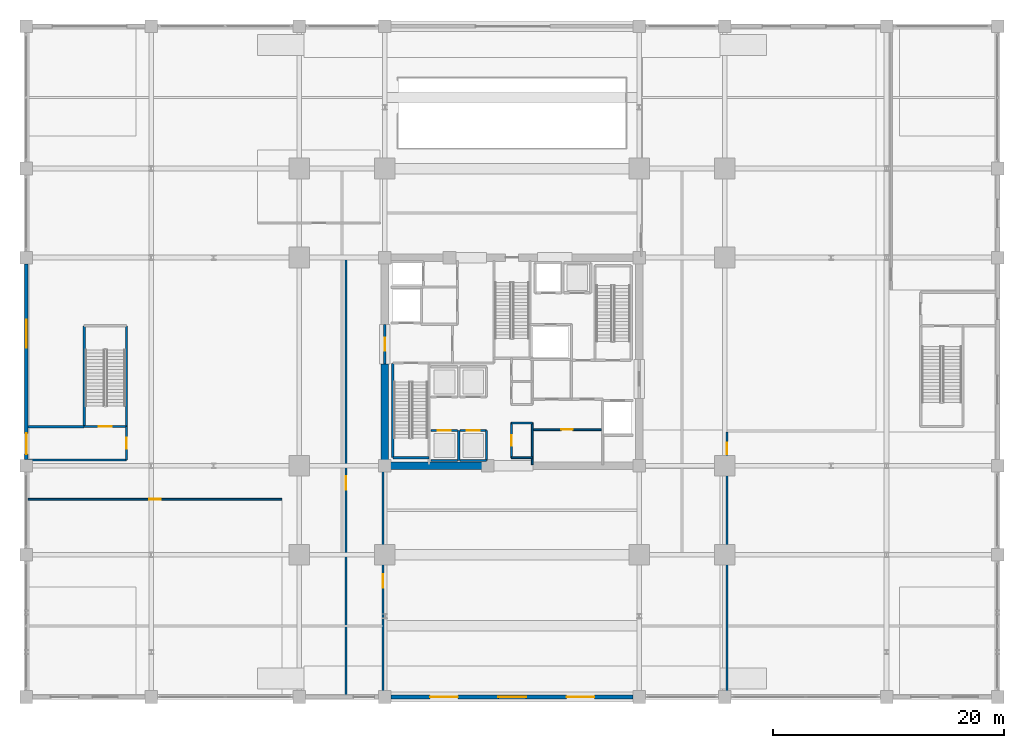
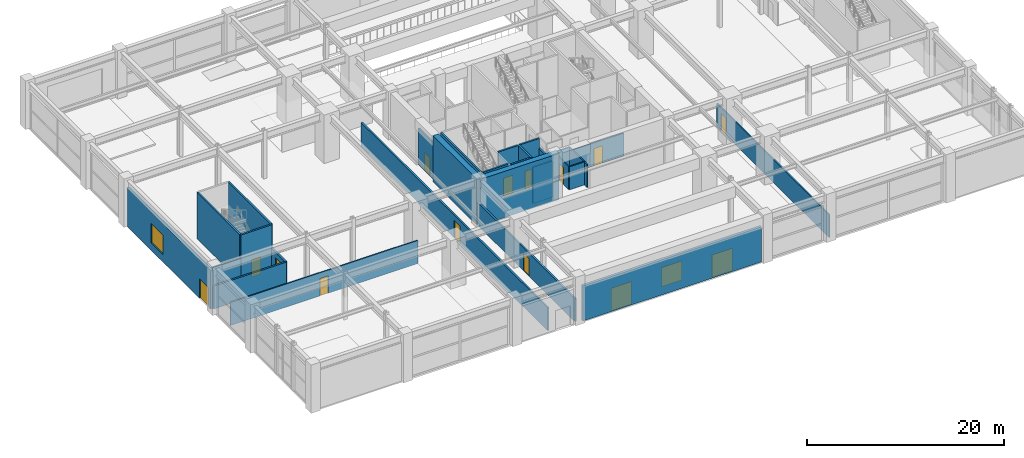
# One storey, part 30 of 41: 28 walls, 14 doors, 2 windows, 16 openings.
"""IFC4 building model written with IfcOpenShell, lengths in metres."""

from ifc_helpers import new_model, si_unit, direction, frame, frame_2d, origin, place, context, subcontext, project, spatial, rectangle, extrude, material, layer, layer_set, type_object, element, fill, save


model = new_model("IFC4")

# Units and contexts
model_context = context("Model", 3, precision=1e-05, world=origin(), true_north=direction((0.0, 1.0)))
body_context = subcontext(model_context, "Body", "Model", "MODEL_VIEW")
ifc_project = project(units=[si_unit("LENGTHUNIT", "METRE"), si_unit("AREAUNIT", "SQUARE_METRE"), si_unit("VOLUMEUNIT", "CUBIC_METRE"), si_unit("PLANEANGLEUNIT", "RADIAN"), si_unit("MASSUNIT", "GRAM", prefix="KILO")], contexts=[model_context])

# Site, building, storey
site_placement = place(None, origin())
site = spatial("IfcSite", under=ifc_project, at=site_placement, CompositionType="ELEMENT")
building_placement = place(site_placement, origin())
building = spatial("IfcBuilding", under=site, at=building_placement, Name="Kovane Verandah Tower", CompositionType="ELEMENT")
storey_placement = place(building_placement, origin())
storey = spatial("IfcBuildingStorey", under=building, at=storey_placement, Name="L00", CompositionType="ELEMENT", Elevation=0.0)

# Walls
ifc_material_1 = material(Name="Fire-Rated Gypsum Stud Partition", Category="gypsum")
ifc_layer_1 = layer(ifc_material_1, 0.14990234375)
ifc_layer_set_1 = layer_set([ifc_layer_1], Name="Fire-Rated Gypsum Stud Partition")
wall_type_1 = type_object("IfcWallType", Name="WL-COR-150", PredefinedType="PARTITIONING", material=ifc_layer_set_1)
for number, where, z_axis, x_axis, name in (
    (1, (39.949951171875, 19.199951171875, 0.0), (0.0, 0.0, 1.0), (1.0, 0.0, 0.0), "L00 Central Core Strip South Wall"),
    (2, (39.949951171875, 22.199951171875, 0.0), (0.0, 0.0, 1.0), (1.0, 0.0, 0.0), "L00 Core Cross-Passage South Wall"),
):
    element("IfcWall", number, at=place(storey_placement, frame(where, z_axis=z_axis, x_axis=x_axis)), inside=storey, type_object=wall_type_1, Name=name, PredefinedType="PARTITIONING", context=body_context, shape_type="SweptSolid", body=[
        extrude(rectangle(XDim=1.81005859375, YDim=0.14990234375, at=frame_2d((0.905029296875, 0.0))), origin(), (0.0, 0.0, 1.0), 2.85009765625),
    ])
wall_1_placement = place(storey_placement, frame((41.760009765625, 18.60009765625, 0.0), z_axis=(0.0, 0.0, 1.0), x_axis=(0.0, 1.0, 0.0)))
element("IfcWall", 3, at=wall_1_placement, inside=storey, type_object=wall_type_1, Name="L00 Central Core Strip Lower East Wall", PredefinedType="PARTITIONING", context=body_context, shape_type="SweptSolid", body=[
    extrude(rectangle(XDim=3.599853515625, YDim=0.14990234375, at=frame_2d((1.7998046875, 0.0))), origin(), (0.0, 0.0, 1.0), 2.85009765625),
])

# Wall, opening, door
wall_2_placement = place(storey_placement, frame((39.949951171875, 19.199951171875, 0.0), z_axis=(0.0, 0.0, 1.0), x_axis=(0.0, 1.0, 0.0)))
wall_2 = element("IfcWall", 4, at=wall_2_placement, inside=storey, type_object=wall_type_1, Name="L00 Male Toilet Partition", PredefinedType="PARTITIONING", context=body_context, shape_type="SweptSolid", body=[
    extrude(rectangle(XDim=3.0, YDim=0.14990234375, at=frame_2d((1.5, 0.0))), origin(), (0.0, 0.0, 1.0), 2.85009765625),
])
opening_1_placement = place(wall_2_placement, frame((1.050048828125, 0.0, 0.0)))
opening_1 = element("IfcOpeningElement", 5, at=opening_1_placement, cuts=wall_2, Name="Opening DR-L00-037", PredefinedType="OPENING", context=body_context, shape_type="SweptSolid", body=[
    extrude(rectangle(XDim=0.89990234375, YDim=2.10009765625, at=frame_2d((0.449951171875, 1.050048828125))), frame((0.0, 0.074951171875, 0.0), z_axis=(0.0, -1.0, 0.0), x_axis=(1.0, 0.0, 0.0)), (0.0, 0.0, 1.0), 0.14990234375),
])
ifc_material_2 = material(Name="Moisture-Resistant Laminate Washroom Door", Category="wood")
door_type_1 = type_object("IfcDoorType", Name="DR-WC-900", OperationType="SINGLE_SWING_LEFT", PredefinedType="DOOR", material=ifc_material_2)
door_1_placement = place(opening_1_placement, origin())
door_1 = element("IfcDoor", 6, at=door_1_placement, inside=storey, type_object=door_type_1, Name="L00 Male Toilet Door", OperationType="SINGLE_SWING_RIGHT", OverallHeight=2.10009765625, OverallWidth=0.89990234375, PredefinedType="DOOR", context=body_context, shape_type="SweptSolid", body=[
    extrude(rectangle(XDim=0.89990234375, YDim=2.10009765625, at=frame_2d((0.449951171875, 1.050048828125))), frame((0.0, 0.02490234375, 0.0), z_axis=(0.0, -1.0, 0.0), x_axis=(1.0, 0.0, 0.0)), (0.0, 0.0, 1.0), 0.050048828125),
])
fill(opening_1, door_1)

wall_3_placement = place(storey_placement, frame((41.760009765625, 21.6201171875, 0.0), z_axis=(0.0, 0.0, 1.0), x_axis=(1.0, 0.0, 0.0)))
wall_3 = element("IfcWall", 7, at=wall_3_placement, inside=storey, type_object=wall_type_1, Name="L00 Records Vault Room Partition", PredefinedType="PARTITIONING", context=body_context, shape_type="SweptSolid", body=[
    extrude(rectangle(XDim=5.97998046875, YDim=0.14990234375, at=frame_2d((2.989990234375, 0.0))), origin(), (0.0, 0.0, 1.0), 2.85009765625),
])
opening_2_placement = place(wall_3_placement, frame((2.489990234375, 0.0, 0.0)))
opening_2 = element("IfcOpeningElement", 8, at=opening_2_placement, cuts=wall_3, Name="Opening DR-L00-029", PredefinedType="OPENING", context=body_context, shape_type="SweptSolid", body=[
    extrude(rectangle(XDim=1.0, YDim=2.14990234375, at=frame_2d((0.5, 1.074951171875))), frame((0.0, 0.074951171875, 0.0), z_axis=(0.0, -1.0, 0.0), x_axis=(1.0, 0.0, 0.0)), (0.0, 0.0, 1.0), 0.14990234375),
])
ifc_material_3 = material(Name="FSC Spotted-Gum Timber Fire-Rated Office Door", Category="wood")
door_type_2 = type_object("IfcDoorType", Name="DR-OFF-1000", OperationType="SINGLE_SWING_LEFT", PredefinedType="DOOR", material=ifc_material_3)
door_2_placement = place(opening_2_placement, origin())
door_2 = element("IfcDoor", 9, at=door_2_placement, inside=storey, type_object=door_type_2, Name="L00 Records Vault Room Door", OperationType="SINGLE_SWING_LEFT", OverallHeight=2.14990234375, OverallWidth=1.0, PredefinedType="DOOR", context=body_context, shape_type="SweptSolid", body=[
    extrude(rectangle(XDim=1.0, YDim=2.14990234375, at=frame_2d((0.5, 1.074951171875))), frame((0.0, 0.02490234375, 0.0), z_axis=(0.0, -1.0, 0.0), x_axis=(1.0, 0.0, 0.0)), (0.0, 0.0, 1.0), 0.050048828125),
])
fill(opening_2, door_2)

wall_4_placement = place(storey_placement, frame((-1.85009765625, 15.60009765625, 0.0), z_axis=(0.0, 0.0, 1.0), x_axis=(1.0, 0.0, 0.0)))
wall_4 = element("IfcWall", 10, at=wall_4_placement, inside=storey, type_object=wall_type_1, Name="L00 West Promenade Retail Pavilion Corridor Partition", PredefinedType="PARTITIONING", context=body_context, shape_type="SweptSolid", body=[
    extrude(rectangle(XDim=21.9501953125, YDim=0.14990234375, at=frame_2d((10.97509765625, 0.0))), origin(), (0.0, 0.0, 1.0), 2.85009765625),
])
opening_3_placement = place(wall_4_placement, frame((10.47509765625, 0.0, 0.0)))
opening_3 = element("IfcOpeningElement", 11, at=opening_3_placement, cuts=wall_4, Name="Opening DR-L00-033", PredefinedType="OPENING", context=body_context, shape_type="SweptSolid", body=[
    extrude(rectangle(XDim=1.0, YDim=2.14990234375, at=frame_2d((0.5, 1.074951171875))), frame((0.0, 0.074951171875, 0.0), z_axis=(0.0, -1.0, 0.0), x_axis=(1.0, 0.0, 0.0)), (0.0, 0.0, 1.0), 0.14990234375),
])
door_3_placement = place(opening_3_placement, origin())
door_3 = element("IfcDoor", 12, at=door_3_placement, inside=storey, type_object=door_type_2, Name="L00 West Promenade Retail Pavilion Entrance Door", OperationType="SINGLE_SWING_LEFT", OverallHeight=2.14990234375, OverallWidth=1.0, PredefinedType="DOOR", context=body_context, shape_type="SweptSolid", body=[
    extrude(rectangle(XDim=1.0, YDim=2.14990234375, at=frame_2d((0.5, 1.074951171875))), frame((0.0, 0.02490234375, 0.0), z_axis=(0.0, -1.0, 0.0), x_axis=(1.0, 0.0, 0.0)), (0.0, 0.0, 1.0), 0.050048828125),
])
fill(opening_3, door_3)

wall_5_placement = place(storey_placement, frame((58.60009765625, -1.35009765625, 0.0), z_axis=(0.0, 0.0, 1.0), x_axis=(0.0, 1.0, 0.0)))
wall_5 = element("IfcWall", 13, at=wall_5_placement, inside=storey, type_object=wall_type_1, Name="L00 East Garden Harbour Cafe Corridor Partition", PredefinedType="PARTITIONING", context=body_context, shape_type="SweptSolid", body=[
    extrude(rectangle(XDim=22.75, YDim=0.14990234375, at=frame_2d((11.375, 0.0))), origin(), (0.0, 0.0, 1.0), 2.85009765625),
])
opening_4_placement = place(wall_5_placement, frame((20.85009765625, 0.0, 0.0)))
opening_4 = element("IfcOpeningElement", 14, at=opening_4_placement, cuts=wall_5, Name="Opening DR-L00-027", PredefinedType="OPENING", context=body_context, shape_type="SweptSolid", body=[
    extrude(rectangle(XDim=1.0, YDim=2.14990234375, at=frame_2d((0.5, 1.074951171875))), frame((0.0, 0.074951171875, 0.0), z_axis=(0.0, -1.0, 0.0), x_axis=(1.0, 0.0, 0.0)), (0.0, 0.0, 1.0), 0.14990234375),
])
door_4_placement = place(opening_4_placement, origin())
door_4 = element("IfcDoor", 15, at=door_4_placement, inside=storey, type_object=door_type_2, Name="L00 East Garden Harbour Cafe Entrance Door", OperationType="SINGLE_SWING_RIGHT", OverallHeight=2.14990234375, OverallWidth=1.0, PredefinedType="DOOR", context=body_context, shape_type="SweptSolid", body=[
    extrude(rectangle(XDim=1.0, YDim=2.14990234375, at=frame_2d((0.5, 1.074951171875))), frame((0.0, 0.02490234375, 0.0), z_axis=(0.0, -1.0, 0.0), x_axis=(1.0, 0.0, 0.0)), (0.0, 0.0, 1.0), 0.050048828125),
])
fill(opening_4, door_4)

# Walls
ifc_material_4 = material(Name="Concrete C80/95", Category="concrete")
ifc_layer_2 = layer(ifc_material_4, 0.64990234375)
ifc_layer_set_2 = layer_set([ifc_layer_2], Name="Concrete C80/95")
wall_type_2 = type_object("IfcWallType", Name="WL-CORE-650", PredefinedType="SHEAR", material=ifc_layer_set_2)
wall_6_placement = place(storey_placement, frame((29.0, 18.5, 0.0), z_axis=(0.0, 0.0, 1.0), x_axis=(1.0, 0.0, 0.0)))
element("IfcWall", 16, at=wall_6_placement, inside=storey, type_object=wall_type_2, Name="L00 Core Shear Wall CS-1", PredefinedType="SHEAR", context=body_context, shape_type="SweptSolid", body=[
    extrude(rectangle(XDim=9.199951171875, YDim=0.64990234375, at=frame_2d((4.60009765625, 0.0))), origin(), (0.0, 0.0, 1.0), 5.719970703125),
])
wall_7_placement = place(storey_placement, frame((29.0, 18.5, 0.0), z_axis=(0.0, 0.0, 1.0), x_axis=(0.0, 1.0, 0.0)))
element("IfcWall", 17, at=wall_7_placement, inside=storey, type_object=wall_type_2, Name="L00 Core Shear Wall CW-1", PredefinedType="SHEAR", context=body_context, shape_type="SweptSolid", body=[
    extrude(rectangle(XDim=8.800048828125, YDim=0.64990234375, at=frame_2d((4.39990234375, 0.0))), origin(), (0.0, 0.0, 1.0), 5.719970703125),
])

# Wall, opening, door
ifc_material_5 = material(Name="Concrete C45/55 Fire Wall", Category="concrete")
ifc_layer_3 = layer(ifc_material_5, 0.199951171875)
ifc_layer_set_3 = layer_set([ifc_layer_3], Name="Concrete C45/55 Fire Wall")
wall_type_3 = type_object("IfcWallType", Name="WL-FFL-200", PredefinedType="PARTITIONING", material=ifc_layer_set_3)
wall_8_placement = place(storey_placement, frame((29.0, 30.699951171875, 0.0), z_axis=(0.0, 0.0, 1.0), x_axis=(0.0, -1.0, 0.0)))
wall_8 = element("IfcWall", 18, at=wall_8_placement, inside=storey, type_object=wall_type_3, Name="W-L00-FFLW-OUT", PredefinedType="PARTITIONING", context=body_context, shape_type="SweptSolid", body=[
    extrude(rectangle(XDim=3.39990234375, YDim=0.199951171875, at=frame_2d((1.699951171875, 0.0))), origin(), (0.0, 0.0, 1.0), 4.5),
])
opening_5_placement = place(wall_8_placement, frame((1.125, 0.0, 0.0)))
opening_5 = element("IfcOpeningElement", 19, at=opening_5_placement, cuts=wall_8, Name="Opening DR-L00-017", PredefinedType="OPENING", context=body_context, shape_type="SweptSolid", body=[
    extrude(rectangle(XDim=1.14990234375, YDim=2.199951171875, at=frame_2d((0.574951171875, 1.10009765625))), frame((0.0, 0.10009765625, 0.0), z_axis=(0.0, -1.0, 0.0), x_axis=(1.0, 0.0, 0.0)), (0.0, 0.0, 1.0), 0.199951171875),
])
ifc_material_6 = material(Name="Smoke-Sealed Firefighting Lobby Door", Category="steel")
door_type_3 = type_object("IfcDoorType", Name="DR-FFL-1150", OperationType="SINGLE_SWING_LEFT", PredefinedType="DOOR", material=ifc_material_6)
door_5_placement = place(opening_5_placement, origin())
door_5 = element("IfcDoor", 20, at=door_5_placement, inside=storey, type_object=door_type_3, Name="L00 West Firefighting Lobby Corridor Door", OperationType="SINGLE_SWING_RIGHT", OverallHeight=2.199951171875, OverallWidth=1.14990234375, PredefinedType="DOOR", context=body_context, shape_type="SweptSolid", body=[
    extrude(rectangle(XDim=1.14990234375, YDim=2.199951171875, at=frame_2d((0.574951171875, 1.10009765625))), frame((0.0, 0.02490234375, 0.0), z_axis=(0.0, -1.0, 0.0), x_axis=(1.0, 0.0, 0.0)), (0.0, 0.0, 1.0), 0.050048828125),
])
fill(opening_5, door_5)

# Walls
wall_9_placement = place(storey_placement, frame((-1.85009765625, 19.0, 0.0), z_axis=(0.0, 0.0, 1.0), x_axis=(1.0, 0.0, 0.0)))
element("IfcWall", 21, at=wall_9_placement, inside=storey, type_object=wall_type_3, Name="L00 Protected West Stair Exit Passageway South Fire Wall", PredefinedType="PARTITIONING", context=body_context, shape_type="SweptSolid", body=[
    extrude(rectangle(XDim=8.510009765625, YDim=0.199951171875, at=frame_2d((4.2548828125, 0.0))), origin(), (0.0, 0.0, 1.0), 2.85009765625),
])
wall_10_placement = place(storey_placement, frame((-1.85009765625, 21.8798828125, 0.0), z_axis=(0.0, 0.0, 1.0), x_axis=(1.0, 0.0, 0.0)))
element("IfcWall", 22, at=wall_10_placement, inside=storey, type_object=wall_type_3, Name="L00 Protected West Stair Exit Passageway North Fire Wall", PredefinedType="PARTITIONING", context=body_context, shape_type="SweptSolid", body=[
    extrude(rectangle(XDim=4.85009765625, YDim=0.199951171875, at=frame_2d((2.425048828125, 0.0))), origin(), (0.0, 0.0, 1.0), 2.85009765625),
])

# Wall, opening, door
wall_11_placement = place(storey_placement, frame((6.659912109375, 19.0, 0.0), z_axis=(0.0, 0.0, 1.0), x_axis=(0.0, 1.0, 0.0)))
wall_11 = element("IfcWall", 23, at=wall_11_placement, inside=storey, type_object=wall_type_3, Name="L00 Protected West Stair Exit Passageway East Fire Wall", PredefinedType="PARTITIONING", context=body_context, shape_type="SweptSolid", body=[
    extrude(rectangle(XDim=2.8798828125, YDim=0.199951171875, at=frame_2d((1.43994140625, 0.0))), origin(), (0.0, 0.0, 1.0), 2.85009765625),
])
opening_6_placement = place(wall_11_placement, frame((0.965087890625, 0.0, 0.0)))
opening_6 = element("IfcOpeningElement", 24, at=opening_6_placement, cuts=wall_11, Name="Opening DR-L00-012", PredefinedType="OPENING", context=body_context, shape_type="SweptSolid", body=[
    extrude(rectangle(XDim=0.949951171875, YDim=2.14990234375, at=frame_2d((0.47509765625, 1.074951171875))), frame((0.0, 0.10009765625, 0.0), z_axis=(0.0, -1.0, 0.0), x_axis=(1.0, 0.0, 0.0)), (0.0, 0.0, 1.0), 0.199951171875),
])
ifc_material_7 = material(Name="Fire-Rated Steel Refuge and Lobby Door", Category="steel")
door_type_4 = type_object("IfcDoorType", Name="DR-FIRE-950", OperationType="SINGLE_SWING_LEFT", PredefinedType="DOOR", material=ifc_material_7)
door_6_placement = place(opening_6_placement, origin())
door_6 = element("IfcDoor", 25, at=door_6_placement, inside=storey, type_object=door_type_4, Name="L00 West Stair Passageway Inner Fire Door", OperationType="SINGLE_SWING_LEFT", OverallHeight=2.14990234375, OverallWidth=0.949951171875, PredefinedType="DOOR", context=body_context, shape_type="SweptSolid", body=[
    extrude(rectangle(XDim=0.949951171875, YDim=2.14990234375, at=frame_2d((0.47509765625, 1.074951171875))), frame((0.0, 0.02490234375, 0.0), z_axis=(0.0, -1.0, 0.0), x_axis=(1.0, 0.0, 0.0)), (0.0, 0.0, 1.0), 0.050048828125),
])
fill(opening_6, door_6)

wall_12_placement = place(storey_placement, frame((28.85009765625, -1.35009765625, 0.0), z_axis=(0.0, 0.0, 1.0), x_axis=(0.0, 1.0, 0.0)))
wall_12 = element("IfcWall", 26, at=wall_12_placement, inside=storey, type_object=wall_type_3, Name="L00 Protected West Core Exit Corridor East Fire Wall", PredefinedType="PARTITIONING", context=body_context, shape_type="SweptSolid", body=[
    extrude(rectangle(XDim=19.75, YDim=0.199951171875, at=frame_2d((9.875, 0.0))), origin(), (0.0, 0.0, 1.0), 2.85009765625),
])
opening_7_placement = place(wall_12_placement, frame((9.300048828125, 0.0, 0.0)))
opening_7 = element("IfcOpeningElement", 27, at=opening_7_placement, cuts=wall_12, Name="Opening DR-L00-010", PredefinedType="OPENING", context=body_context, shape_type="SweptSolid", body=[
    extrude(rectangle(XDim=1.14990234375, YDim=2.199951171875, at=frame_2d((0.574951171875, 1.10009765625))), frame((0.0, 0.10009765625, 0.0), z_axis=(0.0, -1.0, 0.0), x_axis=(1.0, 0.0, 0.0)), (0.0, 0.0, 1.0), 0.199951171875),
])
door_7_placement = place(opening_7_placement, origin())
door_7 = element("IfcDoor", 28, at=door_7_placement, inside=storey, type_object=door_type_3, Name="L00 Protected West Core Exit Corridor Concourse Door", OperationType="SINGLE_SWING_LEFT", OverallHeight=2.199951171875, OverallWidth=1.14990234375, PredefinedType="DOOR", context=body_context, shape_type="SweptSolid", body=[
    extrude(rectangle(XDim=1.14990234375, YDim=2.199951171875, at=frame_2d((0.574951171875, 1.10009765625))), frame((0.0, 0.02490234375, 0.0), z_axis=(0.0, -1.0, 0.0), x_axis=(1.0, 0.0, 0.0)), (0.0, 0.0, 1.0), 0.050048828125),
])
fill(opening_7, door_7)

wall_13_placement = place(storey_placement, frame((25.64990234375, -1.35009765625, 0.0), z_axis=(0.0, 0.0, 1.0), x_axis=(0.0, 1.0, 0.0)))
wall_13 = element("IfcWall", 29, at=wall_13_placement, inside=storey, type_object=wall_type_3, Name="L00 Protected West Core Exit Corridor West Fire Wall", PredefinedType="PARTITIONING", context=body_context, shape_type="SweptSolid", body=[
    extrude(rectangle(XDim=37.85009765625, YDim=0.199951171875, at=frame_2d((18.925048828125, 0.0))), origin(), (0.0, 0.0, 1.0), 2.85009765625),
])
opening_8_placement = place(wall_13_placement, frame((17.77490234375, 0.0, 0.0)))
opening_8 = element("IfcOpeningElement", 30, at=opening_8_placement, cuts=wall_13, Name="Opening DR-L00-011", PredefinedType="OPENING", context=body_context, shape_type="SweptSolid", body=[
    extrude(rectangle(XDim=1.14990234375, YDim=2.199951171875, at=frame_2d((0.574951171875, 1.10009765625))), frame((0.0, 0.10009765625, 0.0), z_axis=(0.0, -1.0, 0.0), x_axis=(1.0, 0.0, 0.0)), (0.0, 0.0, 1.0), 0.199951171875),
])
door_8_placement = place(opening_8_placement, origin())
door_8 = element("IfcDoor", 31, at=door_8_placement, inside=storey, type_object=door_type_3, Name="L00 South-West Retail Link Fire Door", OperationType="SINGLE_SWING_RIGHT", OverallHeight=2.199951171875, OverallWidth=1.14990234375, PredefinedType="DOOR", context=body_context, shape_type="SweptSolid", body=[
    extrude(rectangle(XDim=1.14990234375, YDim=2.199951171875, at=frame_2d((0.574951171875, 1.10009765625))), frame((0.0, 0.02490234375, 0.0), z_axis=(0.0, -1.0, 0.0), x_axis=(1.0, 0.0, 0.0)), (0.0, 0.0, 1.0), 0.050048828125),
])
fill(opening_8, door_8)

# Wall
ifc_material_8 = material(Name="Concrete C45/55 Lift Shaft Wall", Category="concrete")
ifc_layer_4 = layer(ifc_material_8, 0.199951171875)
ifc_layer_set_4 = layer_set([ifc_layer_4], Name="Concrete C45/55 Lift Shaft Wall")
wall_type_4 = type_object("IfcWallType", Name="WL-LIFT-200", PredefinedType="SOLIDWALL", material=ifc_layer_set_4)
wall_14_placement = place(storey_placement, frame((33.0, 18.949951171875, 0.0), z_axis=(0.0, 0.0, 1.0), x_axis=(1.0, 0.0, 0.0)))
element("IfcWall", 32, at=wall_14_placement, inside=storey, type_object=wall_type_4, Name="L00 Lift PL-L1 S Shaft Wall", PredefinedType="SOLIDWALL", context=body_context, shape_type="SweptSolid", body=[
    extrude(rectangle(XDim=2.300048828125, YDim=0.199951171875, at=frame_2d((1.14990234375, 0.0))), origin(), (0.0, 0.0, 1.0), 5.719970703125),
])

# Wall, opening, door
wall_15_placement = place(storey_placement, frame((35.300048828125, 21.550048828125, 0.0), z_axis=(0.0, 0.0, 1.0), x_axis=(-1.0, 0.0, 0.0)))
wall_15 = element("IfcWall", 33, at=wall_15_placement, inside=storey, type_object=wall_type_4, Name="L00 Lift PL-L1 N Shaft Wall", PredefinedType="SOLIDWALL", context=body_context, shape_type="SweptSolid", body=[
    extrude(rectangle(XDim=2.300048828125, YDim=0.199951171875, at=frame_2d((1.14990234375, 0.0))), origin(), (0.0, 0.0, 1.0), 5.719970703125),
])
opening_9_placement = place(wall_15_placement, frame((0.60009765625, 0.0, 0.0)))
opening_9 = element("IfcOpeningElement", 34, at=opening_9_placement, cuts=wall_15, Name="Opening LD-L00-005", PredefinedType="OPENING", context=body_context, shape_type="SweptSolid", body=[
    extrude(rectangle(XDim=1.10009765625, YDim=2.199951171875, at=frame_2d((0.550048828125, 1.10009765625))), frame((0.0, 0.10009765625, 0.0), z_axis=(0.0, -1.0, 0.0), x_axis=(1.0, 0.0, 0.0)), (0.0, 0.0, 1.0), 0.199951171875),
])
ifc_material_9 = material(Name="Brushed Stainless Steel Sliding Lift Landing Door", Category="steel")
door_type_5 = type_object("IfcDoorType", Name="DR-LIFT-1100", OperationType="SLIDING_TO_RIGHT", PredefinedType="DOOR", material=ifc_material_9)
door_9_placement = place(opening_9_placement, origin())
door_9 = element("IfcDoor", 35, at=door_9_placement, inside=storey, type_object=door_type_5, Name="L00 Lift PL-L1 Sliding Landing Door", OperationType="SLIDING_TO_RIGHT", OverallHeight=2.199951171875, OverallWidth=1.10009765625, PredefinedType="DOOR", context=body_context, shape_type="SweptSolid", body=[
    extrude(rectangle(XDim=1.10009765625, YDim=2.199951171875, at=frame_2d((0.550048828125, 1.10009765625))), frame((0.0, 0.02490234375, 0.0), z_axis=(0.0, -1.0, 0.0), x_axis=(1.0, 0.0, 0.0)), (0.0, 0.0, 1.0), 0.050048828125),
])
fill(opening_9, door_9)

# Walls
wall_16_placement = place(storey_placement, frame((35.39990234375, 18.949951171875, 0.0), z_axis=(0.0, 0.0, 1.0), x_axis=(0.0, 1.0, 0.0)))
element("IfcWall", 36, at=wall_16_placement, inside=storey, type_object=wall_type_4, Name="L00 Lift PL-L1 and PL-L2 Shared Shaft Wall", PredefinedType="SOLIDWALL", context=body_context, shape_type="SweptSolid", body=[
    extrude(rectangle(XDim=2.60009765625, YDim=0.199951171875, at=frame_2d((1.300048828125, 0.0))), origin(), (0.0, 0.0, 1.0), 5.719970703125),
])
wall_17_placement = place(storey_placement, frame((35.5, 18.949951171875, 0.0), z_axis=(0.0, 0.0, 1.0), x_axis=(1.0, 0.0, 0.0)))
element("IfcWall", 37, at=wall_17_placement, inside=storey, type_object=wall_type_4, Name="L00 Lift PL-L2 S Shaft Wall", PredefinedType="SOLIDWALL", context=body_context, shape_type="SweptSolid", body=[
    extrude(rectangle(XDim=2.300048828125, YDim=0.199951171875, at=frame_2d((1.14990234375, 0.0))), origin(), (0.0, 0.0, 1.0), 4.5),
])

# Wall, opening, door
wall_18_placement = place(storey_placement, frame((37.800048828125, 21.550048828125, 0.0), z_axis=(0.0, 0.0, 1.0), x_axis=(-1.0, 0.0, 0.0)))
wall_18 = element("IfcWall", 38, at=wall_18_placement, inside=storey, type_object=wall_type_4, Name="L00 Lift PL-L2 N Shaft Wall", PredefinedType="SOLIDWALL", context=body_context, shape_type="SweptSolid", body=[
    extrude(rectangle(XDim=2.300048828125, YDim=0.199951171875, at=frame_2d((1.14990234375, 0.0))), origin(), (0.0, 0.0, 1.0), 5.719970703125),
])
opening_10_placement = place(wall_18_placement, frame((0.60009765625, 0.0, 0.0)))
opening_10 = element("IfcOpeningElement", 39, at=opening_10_placement, cuts=wall_18, Name="Opening LD-L00-006", PredefinedType="OPENING", context=body_context, shape_type="SweptSolid", body=[
    extrude(rectangle(XDim=1.10009765625, YDim=2.199951171875, at=frame_2d((0.550048828125, 1.10009765625))), frame((0.0, 0.10009765625, 0.0), z_axis=(0.0, -1.0, 0.0), x_axis=(1.0, 0.0, 0.0)), (0.0, 0.0, 1.0), 0.199951171875),
])
door_10_placement = place(opening_10_placement, origin())
door_10 = element("IfcDoor", 40, at=door_10_placement, inside=storey, type_object=door_type_5, Name="L00 Lift PL-L2 Sliding Landing Door", OperationType="SLIDING_TO_RIGHT", OverallHeight=2.199951171875, OverallWidth=1.10009765625, PredefinedType="DOOR", context=body_context, shape_type="SweptSolid", body=[
    extrude(rectangle(XDim=1.10009765625, YDim=2.199951171875, at=frame_2d((0.550048828125, 1.10009765625))), frame((0.0, 0.02490234375, 0.0), z_axis=(0.0, -1.0, 0.0), x_axis=(1.0, 0.0, 0.0)), (0.0, 0.0, 1.0), 0.050048828125),
])
fill(opening_10, door_10)

# Wall
wall_19_placement = place(storey_placement, frame((37.800048828125, 18.949951171875, 0.0), z_axis=(0.0, 0.0, 1.0), x_axis=(0.0, 1.0, 0.0)))
element("IfcWall", 41, at=wall_19_placement, inside=storey, type_object=wall_type_4, Name="L00 Lift PL-L2 E Shaft Wall", PredefinedType="SOLIDWALL", context=body_context, shape_type="SweptSolid", body=[
    extrude(rectangle(XDim=2.60009765625, YDim=0.199951171875, at=frame_2d((1.300048828125, 0.0))), origin(), (0.0, 0.0, 1.0), 4.5),
])

# Wall, openings, doors, window
ifc_material_10 = material(Name="Concrete C45/55 Podium Facade Wall", Category="concrete")
ifc_layer_5 = layer(ifc_material_10, 0.320068359375)
ifc_layer_set_5 = layer_set([ifc_layer_5], Name="Concrete C45/55 Podium Facade Wall")
wall_type_5 = type_object("IfcWallType", Name="WL-POD-320", PredefinedType="SOLIDWALL", material=ifc_layer_set_5)
wall_20_placement = place(storey_placement, frame((29.5400390625, -1.5, 0.0), z_axis=(0.0, 0.0, 1.0), x_axis=(1.0, 0.0, 0.0)))
wall_20 = element("IfcWall", 42, at=wall_20_placement, inside=storey, type_object=wall_type_5, Name="Ground South Concourse Entrance Facade Wall", PredefinedType="SOLIDWALL", context=body_context, shape_type="SweptSolid", body=[
    extrude(rectangle(XDim=20.919921875, YDim=0.320068359375, at=frame_2d((10.4599609375, 0.0))), origin(), (0.0, 0.0, 1.0), 4.330078125),
])
opening_11_placement = place(wall_20_placement, frame((3.3798828125, 0.0, 0.0)))
opening_11 = element("IfcOpeningElement", 43, at=opening_11_placement, cuts=wall_20, Name="Opening DR-L00-004", PredefinedType="OPENING", context=body_context, shape_type="SweptSolid", body=[
    extrude(rectangle(XDim=2.39990234375, YDim=2.800048828125, at=frame_2d((1.199951171875, 1.39990234375))), frame((0.0, 0.16015625, 0.0), z_axis=(0.0, -1.0, 0.0), x_axis=(1.0, 0.0, 0.0)), (0.0, 0.0, 1.0), 0.320068359375),
])
opening_12_placement = place(wall_20_placement, frame((9.280029296875, 0.0, 0.89990234375)))
opening_12 = element("IfcOpeningElement", 44, at=opening_12_placement, cuts=wall_20, Name="Opening W-06", PredefinedType="OPENING", context=body_context, shape_type="SweptSolid", body=[
    extrude(rectangle(XDim=2.39990234375, YDim=2.39990234375, at=frame_2d((1.199951171875, 1.199951171875))), frame((0.0, 0.16015625, 0.0), z_axis=(0.0, -1.0, 0.0), x_axis=(1.0, 0.0, 0.0)), (0.0, 0.0, 1.0), 0.320068359375),
])
opening_13_placement = place(wall_20_placement, frame((15.179931640625, 0.0, 0.0)))
opening_13 = element("IfcOpeningElement", 45, at=opening_13_placement, cuts=wall_20, Name="Opening DR-L00-005", PredefinedType="OPENING", context=body_context, shape_type="SweptSolid", body=[
    extrude(rectangle(XDim=2.39990234375, YDim=2.800048828125, at=frame_2d((1.199951171875, 1.39990234375))), frame((0.0, 0.16015625, 0.0), z_axis=(0.0, -1.0, 0.0), x_axis=(1.0, 0.0, 0.0)), (0.0, 0.0, 1.0), 0.320068359375),
])
ifc_material_11 = material(Name="Anodised Aluminium Framed Glazed Double Entrance Door", Category="aluminium")
door_type_6 = type_object("IfcDoorType", Name="DR-ENT-2400x2800", OperationType="DOUBLE_DOOR_SINGLE_SWING", PredefinedType="DOOR", material=ifc_material_11)
door_11_placement = place(opening_11_placement, origin())
door_11 = element("IfcDoor", 46, at=door_11_placement, inside=storey, type_object=door_type_6, Name="Main South Concourse Entrance Door 1", OperationType="DOUBLE_DOOR_SINGLE_SWING", OverallHeight=2.800048828125, OverallWidth=2.39990234375, PredefinedType="DOOR", context=body_context, shape_type="SweptSolid", body=[
    extrude(rectangle(XDim=2.39990234375, YDim=2.800048828125, at=frame_2d((1.199951171875, 1.39990234375))), frame((0.0, 0.02490234375, 0.0), z_axis=(0.0, -1.0, 0.0), x_axis=(1.0, 0.0, 0.0)), (0.0, 0.0, 1.0), 0.050048828125),
])
fill(opening_11, door_11)
door_12_placement = place(opening_13_placement, origin())
door_12 = element("IfcDoor", 47, at=door_12_placement, inside=storey, type_object=door_type_6, Name="Main South Concourse Entrance Door 2", OperationType="DOUBLE_DOOR_SINGLE_SWING", OverallHeight=2.800048828125, OverallWidth=2.39990234375, PredefinedType="DOOR", context=body_context, shape_type="SweptSolid", body=[
    extrude(rectangle(XDim=2.39990234375, YDim=2.800048828125, at=frame_2d((1.199951171875, 1.39990234375))), frame((0.0, 0.02490234375, 0.0), z_axis=(0.0, -1.0, 0.0), x_axis=(1.0, 0.0, 0.0)), (0.0, 0.0, 1.0), 0.050048828125),
])
fill(opening_13, door_12)
ifc_material_12 = material(Name="Clear Low-E Laminated Double Glazing in Anodised Frame", Category="glass")
window_type = type_object("IfcWindowType", Name="WN-FIXED-2400x2400", PartitioningType="SINGLE_PANEL", PredefinedType="WINDOW", material=ifc_material_12)
window_1_placement = place(opening_12_placement, origin())
window_1 = element("IfcWindow", 48, at=window_1_placement, inside=storey, type_object=window_type, Name="South Concourse Clerestory Window", OverallHeight=2.39990234375, OverallWidth=2.39990234375, PartitioningType="SINGLE_PANEL", PredefinedType="WINDOW", context=body_context, shape_type="SweptSolid", body=[
    extrude(rectangle(XDim=2.39990234375, YDim=2.39990234375, at=frame_2d((1.199951171875, 1.199951171875))), frame((0.0, 0.030029296875, 0.0), z_axis=(0.0, -1.0, 0.0), x_axis=(1.0, 0.0, 0.0)), (0.0, 0.0, 1.0), 0.06005859375),
])
fill(opening_12, window_1)

# Wall, openings, door, window
wall_21_placement = place(storey_placement, frame((-2.0, 19.0400390625, 0.0), z_axis=(0.0, 0.0, 1.0), x_axis=(0.0, 1.0, 0.0)))
wall_21 = element("IfcWall", 49, at=wall_21_placement, inside=storey, type_object=wall_type_5, Name="Ground West Protected Stair Exit Wall", PredefinedType="SOLIDWALL", context=body_context, shape_type="SweptSolid", body=[
    extrude(rectangle(XDim=16.919921875, YDim=0.320068359375, at=frame_2d((8.4599609375, 0.0))), origin(), (0.0, 0.0, 1.0), 4.759033203125),
])
opening_14_placement = place(wall_21_placement, frame((0.4599609375, 0.0, 0.0)))
opening_14 = element("IfcOpeningElement", 50, at=opening_14_placement, cuts=wall_21, Name="Opening DR-L00-009", PredefinedType="OPENING", context=body_context, shape_type="SweptSolid", body=[
    extrude(rectangle(XDim=1.800048828125, YDim=2.39990234375, at=frame_2d((0.89990234375, 1.199951171875))), frame((0.0, 0.16015625, 0.0), z_axis=(0.0, -1.0, 0.0), x_axis=(1.0, 0.0, 0.0)), (0.0, 0.0, 1.0), 0.320068359375),
])
opening_15_placement = place(wall_21_placement, frame((9.679931640625, 0.0, 0.89990234375)))
opening_15 = element("IfcOpeningElement", 51, at=opening_15_placement, cuts=wall_21, Name="Opening W-06", PredefinedType="OPENING", context=body_context, shape_type="SweptSolid", body=[
    extrude(rectangle(XDim=2.39990234375, YDim=2.39990234375, at=frame_2d((1.199951171875, 1.199951171875))), frame((0.0, 0.16015625, 0.0), z_axis=(0.0, -1.0, 0.0), x_axis=(1.0, 0.0, 0.0)), (0.0, 0.0, 1.0), 0.320068359375),
])
ifc_material_13 = material(Name="Cyclone-Rated Glazed Verandah Double Door", Category="aluminium")
door_type_7 = type_object("IfcDoorType", Name="DR-TERR-1800x2400", OperationType="DOUBLE_DOOR_SINGLE_SWING", PredefinedType="DOOR", material=ifc_material_13)
door_13_placement = place(opening_14_placement, origin())
door_13 = element("IfcDoor", 52, at=door_13_placement, inside=storey, type_object=door_type_7, Name="L00 ST-04 Protected West Final Exit Door", OperationType="DOUBLE_DOOR_SINGLE_SWING", OverallHeight=2.39990234375, OverallWidth=1.800048828125, PredefinedType="DOOR", context=body_context, shape_type="SweptSolid", body=[
    extrude(rectangle(XDim=1.800048828125, YDim=2.39990234375, at=frame_2d((0.89990234375, 1.199951171875))), frame((0.0, 0.02490234375, 0.0), z_axis=(0.0, -1.0, 0.0), x_axis=(1.0, 0.0, 0.0)), (0.0, 0.0, 1.0), 0.050048828125),
])
fill(opening_14, door_13)
window_2_placement = place(opening_15_placement, origin())
window_2 = element("IfcWindow", 53, at=window_2_placement, inside=storey, type_object=window_type, Name="Ground West Concourse Window", OverallHeight=2.39990234375, OverallWidth=2.39990234375, PartitioningType="SINGLE_PANEL", PredefinedType="WINDOW", context=body_context, shape_type="SweptSolid", body=[
    extrude(rectangle(XDim=2.39990234375, YDim=2.39990234375, at=frame_2d((1.199951171875, 1.199951171875))), frame((0.0, 0.030029296875, 0.0), z_axis=(0.0, -1.0, 0.0), x_axis=(1.0, 0.0, 0.0)), (0.0, 0.0, 1.0), 0.06005859375),
])
fill(opening_15, window_2)

# Walls
ifc_material_14 = material(Name="Concrete C45/55", Category="concrete")
ifc_layer_6 = layer(ifc_material_14, 0.199951171875)
ifc_layer_set_6 = layer_set([ifc_layer_6], Name="Concrete C45/55")
wall_type_6 = type_object("IfcWallType", Name="WL-SHAFT-200", PredefinedType="SOLIDWALL", material=ifc_layer_set_6)
wall_22_placement = place(storey_placement, frame((29.699951171875, 19.199951171875, 0.0), z_axis=(0.0, 0.0, 1.0), x_axis=(0.0, 1.0, 0.0)))
element("IfcWall", 54, at=wall_22_placement, inside=storey, type_object=wall_type_6, Name="W-L00-ST01-W", PredefinedType="SOLIDWALL", context=body_context, shape_type="SweptSolid", body=[
    extrude(rectangle(XDim=8.150146484375, YDim=0.199951171875, at=frame_2d((4.0751953125, 0.0))), origin(), (0.0, 0.0, 1.0), 5.719970703125),
])
wall_23_placement = place(storey_placement, frame((29.699951171875, 19.199951171875, 0.0), z_axis=(0.0, 0.0, 1.0), x_axis=(1.0, 0.0, 0.0)))
element("IfcWall", 55, at=wall_23_placement, inside=storey, type_object=wall_type_6, Name="W-L00-ST01-S", PredefinedType="SOLIDWALL", context=body_context, shape_type="SweptSolid", body=[
    extrude(rectangle(XDim=3.1201171875, YDim=0.199951171875, at=frame_2d((1.56005859375, 0.0))), origin(), (0.0, 0.0, 1.0), 5.719970703125),
])
for number, where, z_axis, x_axis, name in (
    (56, (3.0, 21.89990234375, 0.0), (0.0, 0.0, 1.0), (0.0, 1.0, 0.0), "W-L00-ST-04-W"),
    (57, (6.659912109375, 21.89990234375, 0.0), (0.0, 0.0, 1.0), (0.0, 1.0, 0.0), "W-L00-ST-04-E"),
):
    element("IfcWall", number, at=place(storey_placement, frame(where, z_axis=z_axis, x_axis=x_axis)), inside=storey, type_object=wall_type_6, Name=name, PredefinedType="SOLIDWALL", context=body_context, shape_type="SweptSolid", body=[
        extrude(rectangle(XDim=8.7001953125, YDim=0.199951171875, at=frame_2d((4.35009765625, 0.0))), origin(), (0.0, 0.0, 1.0), 5.719970703125),
    ])

# Wall, opening, door
wall_24_placement = place(storey_placement, frame((3.0, 21.89990234375, 0.0), z_axis=(0.0, 0.0, 1.0), x_axis=(1.0, 0.0, 0.0)))
wall_24 = element("IfcWall", 58, at=wall_24_placement, inside=storey, type_object=wall_type_6, Name="W-L00-ST-04-S", PredefinedType="SOLIDWALL", context=body_context, shape_type="SweptSolid", body=[
    extrude(rectangle(XDim=3.659912109375, YDim=0.199951171875, at=frame_2d((1.830078125, 0.0))), origin(), (0.0, 0.0, 1.0), 5.719970703125),
])
opening_16_placement = place(wall_24_placement, frame((1.280029296875, 0.0, 0.0)))
opening_16 = element("IfcOpeningElement", 59, at=opening_16_placement, cuts=wall_24, Name="Opening DR-L00-025", PredefinedType="OPENING", context=body_context, shape_type="SweptSolid", body=[
    extrude(rectangle(XDim=1.10009765625, YDim=2.14990234375, at=frame_2d((0.550048828125, 1.074951171875))), frame((0.0, 0.10009765625, 0.0), z_axis=(0.0, -1.0, 0.0), x_axis=(1.0, 0.0, 0.0)), (0.0, 0.0, 1.0), 0.199951171875),
])
ifc_material_15 = material(Name="Fire-Rated Steel Exit Door", Category="steel")
door_type_8 = type_object("IfcDoorType", Name="DR-STAIR-1100", OperationType="SINGLE_SWING_LEFT", PredefinedType="DOOR", material=ifc_material_15)
door_14_placement = place(opening_16_placement, origin())
door_14 = element("IfcDoor", 60, at=door_14_placement, inside=storey, type_object=door_type_8, Name="L00 ST-04 Fire Exit Stair Door", OperationType="SINGLE_SWING_RIGHT", OverallHeight=2.14990234375, OverallWidth=1.10009765625, PredefinedType="DOOR", context=body_context, shape_type="SweptSolid", body=[
    extrude(rectangle(XDim=1.10009765625, YDim=2.14990234375, at=frame_2d((0.550048828125, 1.074951171875))), frame((0.0, 0.02490234375, 0.0), z_axis=(0.0, -1.0, 0.0), x_axis=(1.0, 0.0, 0.0)), (0.0, 0.0, 1.0), 0.050048828125),
])
fill(opening_16, door_14)

save(model, "model.ifc")
